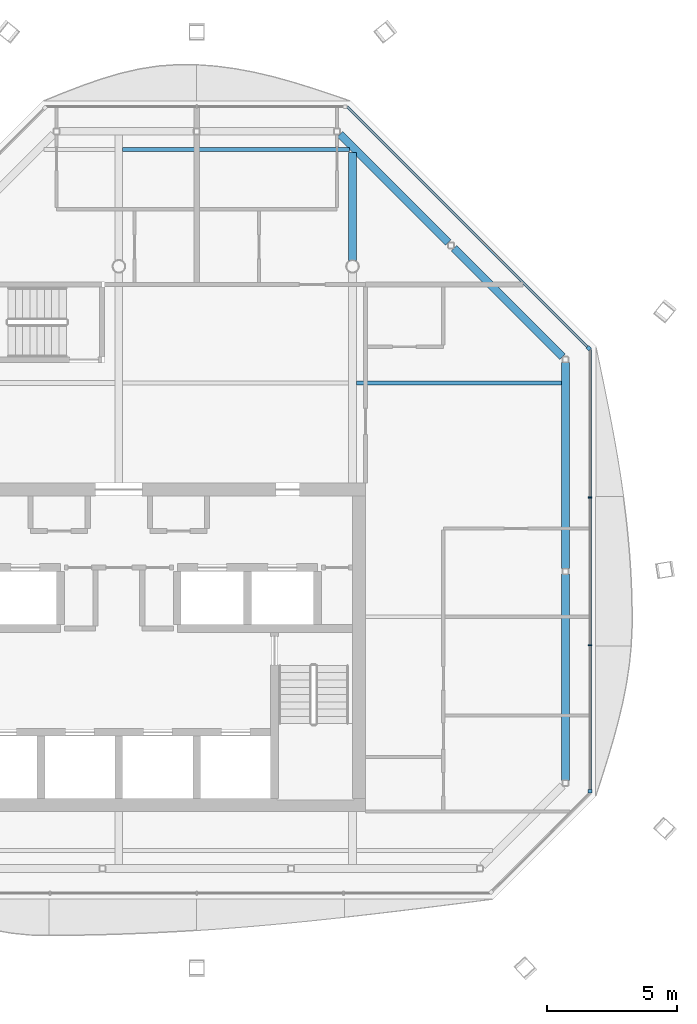
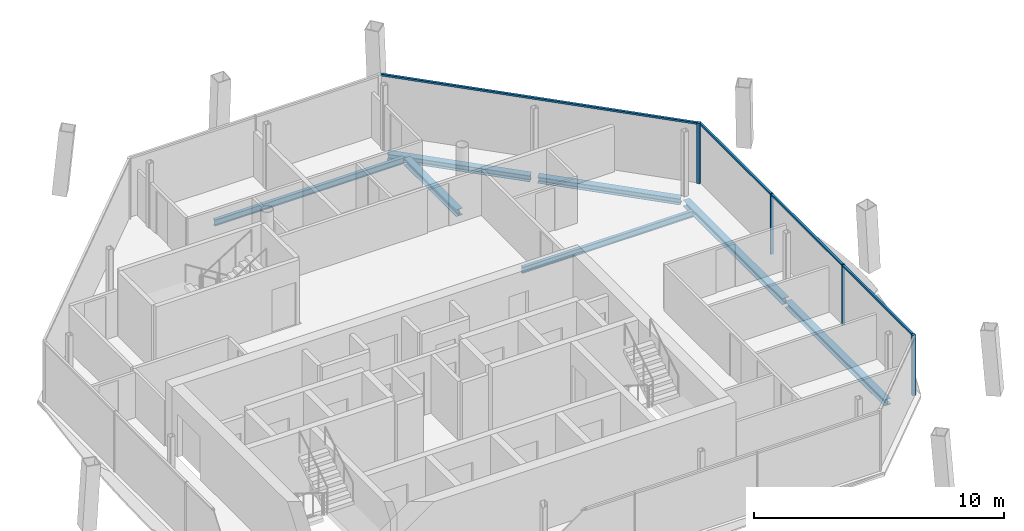
# One storey, part 6 of 13: 8 members, 7 beams, 2 elements without a shape of their own.
"""IFC4 building model written with IfcOpenShell, lengths in metres."""

from ifc_helpers import new_model, si_unit, direction, frame, origin, origin_2d, place, context, subcontext, project, spatial, rectangle, i_section, extrude, material, material_profile, profile_set, type_object, element, aggregate, save


model = new_model("IFC4")

# Units and contexts
model_context = context("Model", 3, precision=1e-05, world=origin(), true_north=direction((0.0, 1.0)))
body_context = subcontext(model_context, "Body", "Model", "MODEL_VIEW")
ifc_project = project(units=[si_unit("LENGTHUNIT", "METRE"), si_unit("AREAUNIT", "SQUARE_METRE"), si_unit("VOLUMEUNIT", "CUBIC_METRE"), si_unit("PLANEANGLEUNIT", "RADIAN"), si_unit("MASSUNIT", "GRAM", prefix="KILO")], contexts=[model_context])

# Site, building, storey
site_placement = place(None, origin())
site = spatial("IfcSite", under=ifc_project, at=site_placement, CompositionType="ELEMENT")
building_placement = place(site_placement, origin())
building = spatial("IfcBuilding", under=site, at=building_placement, Name="Tskaro Facet Tower", CompositionType="ELEMENT")
storey_placement = place(building_placement, frame((0.0, 0.0, 291.0)))
storey = spatial("IfcBuildingStorey", under=building, at=storey_placement, Name="L78", CompositionType="ELEMENT", Elevation=291.0)

# Curtain wall, member
ifc_material_1 = material(Name="Bronze anodised aluminium 6063-T6", Category="aluminium")
curtain_wall_type = type_object("IfcCurtainWallType", Name="Bronze residence curtain wall (FW3)", PredefinedType="NOTDEFINED", material=ifc_material_1)
curtain_wall_1_placement = place(storey_placement, origin())
curtain_wall_1 = element("IfcCurtainWall", 1, at=curtain_wall_1_placement, inside=storey, type_object=curtain_wall_type, Name="FW3 east facet L78", PredefinedType="NOTDEFINED")
ifc_material_profile_1 = material_profile(ifc_material_1, rectangle(XDim=0.139892578125, YDim=0.139892578125, at=origin_2d()), Name="Corner post 140x140")
ifc_profile_set_1 = profile_set([ifc_material_profile_1], Name="Bronze anodised aluminium 6063-T6")
member_type_1 = type_object("IfcMemberType", Name="FW3 bronze corner post 140x140", PredefinedType="MULLION", material=ifc_profile_set_1)
member_1_placement = place(storey_placement, frame((18.14990234375, -11.22607421875, 0.0), z_axis=(0.0, 0.0, 1.0), x_axis=(0.0, 1.0, 0.0)))
member_1 = element("IfcMember", 2, at=member_1_placement, type_object=member_type_1, Name="FW3 east corner post", PredefinedType="MULLION", context=body_context, shape_type="SweptSolid", body=[
    extrude(rectangle(XDim=0.139892578125, YDim=0.139892578125, at=origin_2d()), origin(), (0.0, 0.0, 1.0), 2.949951171875),
])

curtain_wall_2_placement = place(storey_placement, origin())
curtain_wall_2 = element("IfcCurtainWall", 3, at=curtain_wall_2_placement, inside=storey, type_object=curtain_wall_type, Name="FW3 north-east facet L78", PredefinedType="NOTDEFINED")
member_2_placement = place(storey_placement, frame((18.1005859375, 5.845458984375, 0.0), z_axis=(0.0, 0.0, 1.0), x_axis=(-0.707106781187, 0.707106781187, 0.0)))
member_2 = element("IfcMember", 4, at=member_2_placement, type_object=member_type_1, Name="FW3 north-east corner post", PredefinedType="MULLION", context=body_context, shape_type="SweptSolid", body=[
    extrude(rectangle(XDim=0.139892578125, YDim=0.139892578125, at=origin_2d()), origin(), (0.0, 0.0, 1.0), 2.949951171875),
])

# Member
ifc_material_profile_2 = material_profile(ifc_material_1, rectangle(XDim=0.050048828125, YDim=0.139892578125, at=origin_2d()), Name="Mullion 50x140")
ifc_profile_set_2 = profile_set([ifc_material_profile_2], Name="Bronze anodised aluminium 6063-T6")
member_type_2 = type_object("IfcMemberType", Name="FW3 bronze mullion 50x140", PredefinedType="MULLION", material=ifc_profile_set_2)
member_3_placement = place(storey_placement, frame((18.14990234375, -5.5986328125, 0.0), z_axis=(0.0, 0.0, 1.0), x_axis=(0.0, 1.0, 0.0)))
member_3 = element("IfcMember", 5, at=member_3_placement, type_object=member_type_2, Name="FW3 east mullion 1", PredefinedType="MULLION", context=body_context, shape_type="SweptSolid", body=[
    extrude(rectangle(XDim=0.050048828125, YDim=0.139892578125, at=origin_2d()), origin(), (0.0, 0.0, 1.0), 2.949951171875),
])

member_4_placement = place(storey_placement, frame((18.14990234375, 0.0986328125, 0.0), z_axis=(0.0, 0.0, 1.0), x_axis=(0.0, 1.0, 0.0)))
member_4 = element("IfcMember", 6, at=member_4_placement, type_object=member_type_2, Name="FW3 east mullion 2", PredefinedType="MULLION", context=body_context, shape_type="SweptSolid", body=[
    extrude(rectangle(XDim=0.050048828125, YDim=0.139892578125, at=origin_2d()), origin(), (0.0, 0.0, 1.0), 2.949951171875),
])

ifc_material_profile_3 = material_profile(ifc_material_1, rectangle(XDim=0.10009765625, YDim=0.090087890625, at=origin_2d()), Name="Transom 100x90")
ifc_profile_set_3 = profile_set([ifc_material_profile_3], Name="Bronze anodised aluminium 6063-T6")
member_type_3 = type_object("IfcMemberType", Name="FW3 bronze transom 100x90", PredefinedType="USERDEFINED", material=ifc_profile_set_3)
member_5_placement = place(storey_placement, frame((18.14990234375, -11.156005859375, 2.905029296875), z_axis=(0.0, 1.0, 0.0), x_axis=(-1.0, 0.0, 0.0)))
member_5 = element("IfcMember", 7, at=member_5_placement, type_object=member_type_3, Name="FW3 east transom 1.1", ObjectType="TRANSOM", PredefinedType="USERDEFINED", context=body_context, shape_type="SweptSolid", body=[
    extrude(rectangle(XDim=0.10009765625, YDim=0.090087890625, at=origin_2d()), origin(), (0.0, 0.0, 1.0), 5.5322265625),
])

member_6_placement = place(storey_placement, frame((18.14990234375, -5.57373046875, 2.905029296875), z_axis=(0.0, 1.0, 0.0), x_axis=(-1.0, 0.0, 0.0)))
member_6 = element("IfcMember", 8, at=member_6_placement, type_object=member_type_3, Name="FW3 east transom 2.1", ObjectType="TRANSOM", PredefinedType="USERDEFINED", context=body_context, shape_type="SweptSolid", body=[
    extrude(rectangle(XDim=0.10009765625, YDim=0.090087890625, at=origin_2d()), origin(), (0.0, 0.0, 1.0), 5.6474609375),
])

member_7_placement = place(storey_placement, frame((18.14990234375, 0.123779296875, 2.905029296875), z_axis=(0.0, 1.0, 0.0), x_axis=(-1.0, 0.0, 0.0)))
member_7 = element("IfcMember", 9, at=member_7_placement, type_object=member_type_3, Name="FW3 east transom 3.1", ObjectType="TRANSOM", PredefinedType="USERDEFINED", context=body_context, shape_type="SweptSolid", body=[
    extrude(rectangle(XDim=0.10009765625, YDim=0.090087890625, at=origin_2d()), origin(), (0.0, 0.0, 1.0), 5.672119140625),
])

aggregate(curtain_wall_1, [member_1, member_3, member_4, member_5, member_6, member_7])

member_8_placement = place(storey_placement, frame((18.051025390625, 5.89501953125, 2.905029296875), z_axis=(-0.707116107619, 0.707097454631, 0.0), x_axis=(-0.707097454631, -0.707116107619, 0.0)))
member_8 = element("IfcMember", 10, at=member_8_placement, type_object=member_type_3, Name="FW3 north-east transom 1.1", ObjectType="TRANSOM", PredefinedType="USERDEFINED", context=body_context, shape_type="SweptSolid", body=[
    extrude(rectangle(XDim=0.10009765625, YDim=0.090087890625, at=origin_2d()), origin(), (0.0, 0.0, 1.0), 13.088623046875),
])

aggregate(curtain_wall_2, [member_2, member_8])

# Beams
ifc_material_2 = material(Name="Steel S355J2", Category="steel")
ifc_material_profile_4 = material_profile(ifc_material_2, i_section(OverallWidth=0.300048828125, OverallDepth=0.300048828125, WebThickness=0.010986328125, FlangeThickness=0.01904296875, FilletRadius=0.027099609375, at=origin_2d()), Name="HE 300 B")
ifc_profile_set_4 = profile_set([ifc_material_profile_4], Name="Steel S355J2")
beam_type_1 = type_object("IfcBeamType", Name="HE 300 B ring beam", PredefinedType="BEAM", material=ifc_profile_set_4)
for number, where, z_axis, x_axis, name in (
    (11, (17.199951171875, -10.798095703125, -0.2900390625), (0.0, 1.0, 0.0), (-1.0, 0.0, 0.0), "HE 300 B EB5-6"),
    (12, (17.199951171875, -2.64501953125, -0.2900390625), (0.0, 1.0, 0.0), (-1.0, 0.0, 0.0), "HE 300 B EB6-6"),
):
    element("IfcBeam", number, at=place(storey_placement, frame(where, z_axis=z_axis, x_axis=x_axis)), inside=storey, type_object=beam_type_1, Name=name, PredefinedType="BEAM", context=body_context, shape_type="SweptSolid", body=[
        extrude(i_section(OverallWidth=0.300048828125, OverallDepth=0.300048828125, WebThickness=0.010986328125, FlangeThickness=0.01904296875, FilletRadius=0.027099609375, at=origin_2d()), origin(), (0.0, 0.0, 1.0), 7.943115234375),
    ])
for number, where, z_axis, x_axis, name in (
    (13, (17.089111328125, 5.513916015625, -0.2900390625), (-0.707024112481, 0.707189440228, 0.0), (-0.707189440228, -0.707024112481, 0.0), "HE 300 B EB7-6"),
    (14, (12.691162109375, 9.912841796875, -0.2900390625), (-0.707189440228, 0.707024112481, 0.0), (-0.707024112481, -0.707189440228, 0.0), "HE 300 B EB8-6"),
):
    element("IfcBeam", number, at=place(storey_placement, frame(where, z_axis=z_axis, x_axis=x_axis)), inside=storey, type_object=beam_type_1, Name=name, PredefinedType="BEAM", context=body_context, shape_type="SweptSolid", body=[
        extrude(i_section(OverallWidth=0.300048828125, OverallDepth=0.300048828125, WebThickness=0.010986328125, FlangeThickness=0.01904296875, FilletRadius=0.027099609375, at=origin_2d()), origin(), (0.0, 0.0, 1.0), 5.90673828125),
    ])
ifc_material_profile_5 = material_profile(ifc_material_2, i_section(OverallWidth=0.300048828125, OverallDepth=0.330078125, WebThickness=0.009521484375, FlangeThickness=0.0166015625, FilletRadius=0.027099609375, at=origin_2d()), Name="HE 340 A")
ifc_profile_set_5 = profile_set([ifc_material_profile_5], Name="Steel S355J2")
beam_type_2 = type_object("IfcBeamType", Name="HE 340 A girder", PredefinedType="BEAM", material=ifc_profile_set_5)
beam_1_placement = place(storey_placement, frame((9.0, 9.22412109375, -0.304931640625), z_axis=(0.0, 1.0, 0.0), x_axis=(-1.0, 0.0, 0.0)))
element("IfcBeam", 15, at=beam_1_placement, inside=storey, type_object=beam_type_2, Name="HE 340 A GB5-3-6", PredefinedType="BEAM", context=body_context, shape_type="SweptSolid", body=[
    extrude(i_section(OverallWidth=0.300048828125, OverallDepth=0.330078125, WebThickness=0.009521484375, FlangeThickness=0.0166015625, FilletRadius=0.027099609375, at=origin_2d()), origin(), (0.0, 0.0, 1.0), 4.1669921875),
])
ifc_material_profile_6 = material_profile(ifc_material_2, i_section(OverallWidth=0.14990234375, OverallDepth=0.300048828125, WebThickness=0.007080078125, FlangeThickness=0.0107421875, FilletRadius=0.014892578125, at=origin_2d()), Name="IPE 300")
ifc_profile_set_6 = profile_set([ifc_material_profile_6], Name="Steel S355J2")
beam_type_3 = type_object("IfcBeamType", Name="IPE 300 secondary beam", PredefinedType="BEAM", material=ifc_profile_set_6)
beam_2_placement = place(storey_placement, frame((9.14990234375, 4.5, -0.2900390625), z_axis=(1.0, 0.0, 0.0), x_axis=(0.0, 1.0, 0.0)))
element("IfcBeam", 16, at=beam_2_placement, inside=storey, type_object=beam_type_3, Name="IPE 300 SB4a-3-6", PredefinedType="BEAM", context=body_context, shape_type="SweptSolid", body=[
    extrude(i_section(OverallWidth=0.14990234375, OverallDepth=0.300048828125, WebThickness=0.007080078125, FlangeThickness=0.0107421875, FilletRadius=0.014892578125, at=origin_2d()), origin(), (0.0, 0.0, 1.0), 7.900146484375),
])
beam_3_placement = place(storey_placement, frame((0.14990234375, 13.5, -0.2900390625), z_axis=(1.0, 0.0, 0.0), x_axis=(0.0, 1.0, 0.0)))
element("IfcBeam", 17, at=beam_3_placement, inside=storey, type_object=beam_type_3, Name="IPE 300 SB5a-2-6", PredefinedType="BEAM", context=body_context, shape_type="SweptSolid", body=[
    extrude(i_section(OverallWidth=0.14990234375, OverallDepth=0.300048828125, WebThickness=0.007080078125, FlangeThickness=0.0107421875, FilletRadius=0.014892578125, at=origin_2d()), origin(), (0.0, 0.0, 1.0), 8.7412109375),
])

save(model, "model.ifc")
